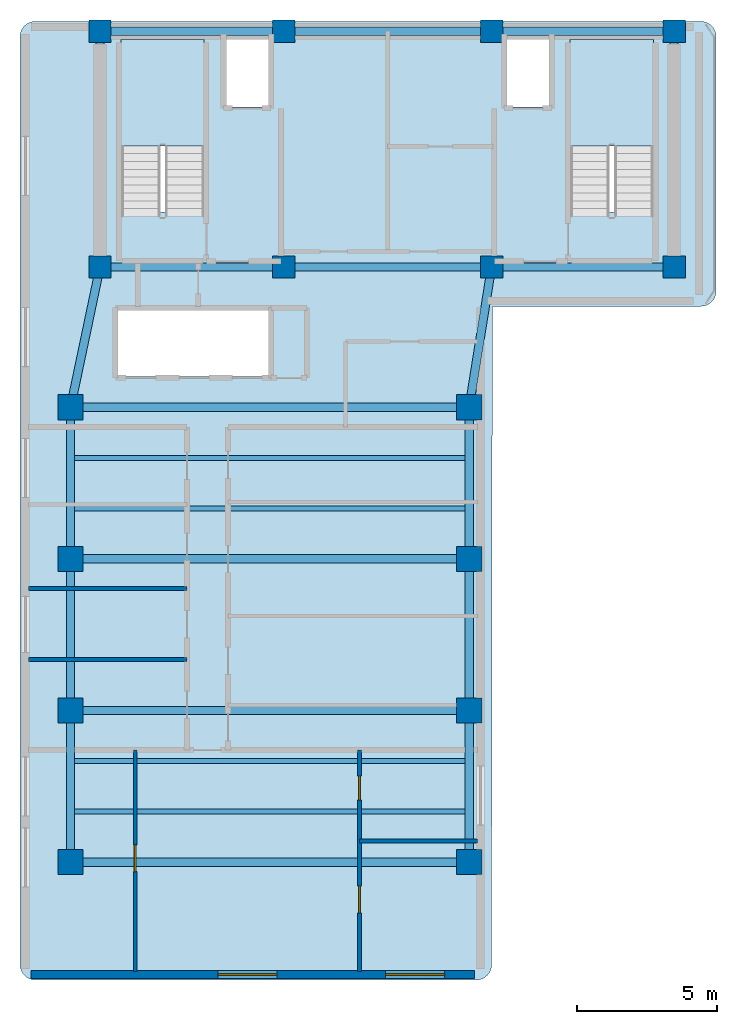
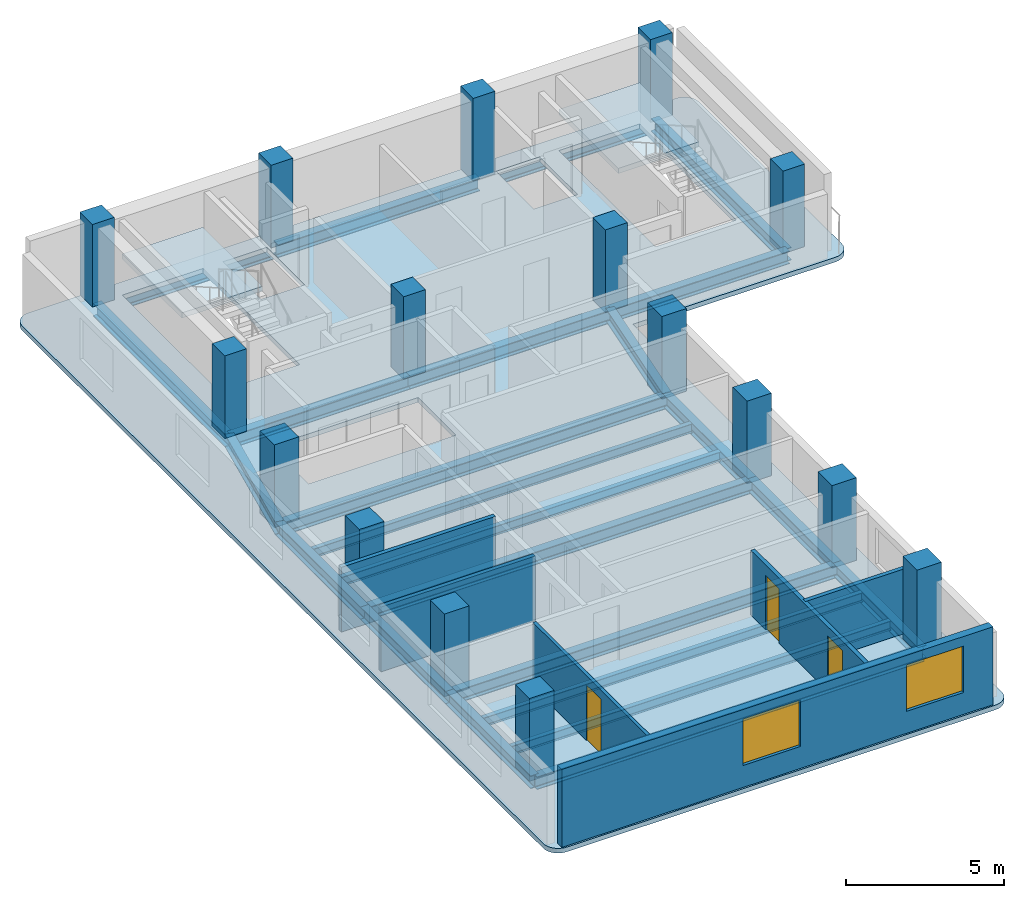
# One storey, part 1 of 4: 24 beams, 16 columns, 6 walls, 3 doors, 3 slabs, 2 windows, 5 openings, 2 elements without a shape of their own.
"""IFC4 building model written with IfcOpenShell, lengths in metres."""

from ifc_helpers import new_model, si_unit, direction, frame, frame_2d, origin, origin_2d, place, context, subcontext, project, spatial, polyline, rectangle, i_section, outline, extrude, material, layer, layer_set, material_profile, profile_set, type_object, element, fill, aggregate, save


model = new_model("IFC4")

# Units and contexts
model_context = context("Model", 3, precision=1e-05, world=origin(), true_north=direction((0.0, 1.0)))
body_context = subcontext(model_context, "Body", "Model", "MODEL_VIEW")
ifc_project = project(units=[si_unit("LENGTHUNIT", "METRE"), si_unit("AREAUNIT", "SQUARE_METRE"), si_unit("VOLUMEUNIT", "CUBIC_METRE"), si_unit("PLANEANGLEUNIT", "RADIAN"), si_unit("MASSUNIT", "GRAM", prefix="KILO")], contexts=[model_context])

# Site, building, storey
site_placement = place(None, origin())
site = spatial("IfcSite", under=ifc_project, at=site_placement, CompositionType="ELEMENT")
building_placement = place(site_placement, origin())
building = spatial("IfcBuilding", under=site, at=building_placement, Name="Kuzgunbayir Cultural Tower", CompositionType="ELEMENT")
storey_placement = place(building_placement, frame((0.0, 0.0, 208.0)))
storey = spatial("IfcBuildingStorey", under=building, at=storey_placement, Name="L61", CompositionType="ELEMENT", Elevation=208.0)

# Columns
ifc_material_1 = material(Name="Concrete C50/60", Category="concrete")
ifc_material_profile_1 = material_profile(ifc_material_1, rectangle(XDim=0.800048828125, YDim=0.800048828125, at=origin_2d()), Name="RC 800x800")
ifc_profile_set_1 = profile_set([ifc_material_profile_1], Name="Concrete C50/60")
column_type_1 = type_object("IfcColumnType", Name="COL-CORE-800", PredefinedType="COLUMN", material=ifc_profile_set_1)
for number, where, z_axis, x_axis, name in (
    (1, (6.449951171875, 33.800048828125, 0.0), (0.0, 0.0, 1.0), (1.0, 0.0, 0.0), "L61 T1 Core Boundary Column CC1-1"),
    (2, (13.0, 33.800048828125, 0.0), (0.0, 0.0, 1.0), (1.0, 0.0, 0.0), "L61 T1 Core Boundary Column CC1-2"),
    (3, (20.39990234375, 33.800048828125, 0.0), (0.0, 0.0, 1.0), (1.0, 0.0, 0.0), "L61 T1 Core Boundary Column CC1-3"),
    (4, (26.89990234375, 33.800048828125, 0.0), (0.0, 0.0, 1.0), (1.0, 0.0, 0.0), "L61 T1 Core Boundary Column CC1-4"),
    (5, (6.449951171875, 42.199951171875, 0.0), (0.0, 0.0, 1.0), (1.0, 0.0, 0.0), "L61 T1 Core Boundary Column CC1-5"),
    (6, (13.0, 42.199951171875, 0.0), (0.0, 0.0, 1.0), (1.0, 0.0, 0.0), "L61 T1 Core Boundary Column CC1-6"),
    (7, (20.39990234375, 42.199951171875, 0.0), (0.0, 0.0, 1.0), (1.0, 0.0, 0.0), "L61 T1 Core Boundary Column CC1-7"),
    (8, (26.89990234375, 42.199951171875, 0.0), (0.0, 0.0, 1.0), (1.0, 0.0, 0.0), "L61 T1 Core Boundary Column CC1-8"),
):
    element("IfcColumn", number, at=place(storey_placement, frame(where, z_axis=z_axis, x_axis=x_axis)), inside=storey, type_object=column_type_1, Name=name, PredefinedType="COLUMN", context=body_context, shape_type="SweptSolid", body=[
        extrude(rectangle(XDim=0.800048828125, YDim=0.800048828125, at=origin_2d()), origin(), (0.0, 0.0, 1.0), 3.199951171875),
    ])
ifc_material_profile_2 = material_profile(ifc_material_1, rectangle(XDim=0.89990234375, YDim=0.89990234375, at=origin_2d()), Name="RC 900x900")
ifc_profile_set_2 = profile_set([ifc_material_profile_2], Name="Concrete C50/60")
column_type_2 = type_object("IfcColumnType", Name="COL-T1-900", PredefinedType="COLUMN", material=ifc_profile_set_2)
for number, where, z_axis, x_axis, name in (
    (9, (5.39990234375, 12.60009765625, 0.0), (0.0, 0.0, 1.0), (1.0, 0.0, 0.0), "L61 Tower 1 Wing A Column T1A-W-1"),
    (10, (19.60009765625, 12.60009765625, 0.0), (0.0, 0.0, 1.0), (1.0, 0.0, 0.0), "L61 Tower 1 Wing A Column T1A-E-1"),
    (11, (5.39990234375, 18.0, 0.0), (0.0, 0.0, 1.0), (1.0, 0.0, 0.0), "L61 Tower 1 Wing A Column T1A-W-2"),
    (12, (19.60009765625, 18.0, 0.0), (0.0, 0.0, 1.0), (1.0, 0.0, 0.0), "L61 Tower 1 Wing A Column T1A-E-2"),
    (13, (5.39990234375, 23.39990234375, 0.0), (0.0, 0.0, 1.0), (1.0, 0.0, 0.0), "L61 Tower 1 Wing A Column T1A-W-3"),
    (14, (19.60009765625, 23.39990234375, 0.0), (0.0, 0.0, 1.0), (1.0, 0.0, 0.0), "L61 Tower 1 Wing A Column T1A-E-3"),
    (15, (5.39990234375, 28.800048828125, 0.0), (0.0, 0.0, 1.0), (1.0, 0.0, 0.0), "L61 Tower 1 Wing A Column T1A-W-4"),
    (16, (19.60009765625, 28.800048828125, 0.0), (0.0, 0.0, 1.0), (1.0, 0.0, 0.0), "L61 Tower 1 Wing A Column T1A-E-4"),
):
    element("IfcColumn", number, at=place(storey_placement, frame(where, z_axis=z_axis, x_axis=x_axis)), inside=storey, type_object=column_type_2, Name=name, PredefinedType="COLUMN", context=body_context, shape_type="SweptSolid", body=[
        extrude(rectangle(XDim=0.89990234375, YDim=0.89990234375, at=origin_2d()), origin(), (0.0, 0.0, 1.0), 3.199951171875),
    ])

# Beams
ifc_material_2 = material(Name="Steel S355J2", Category="steel")
ifc_material_profile_3 = material_profile(ifc_material_2, i_section(OverallWidth=0.300048828125, OverallDepth=0.5, WebThickness=0.014404296875, FlangeThickness=0.028076171875, FilletRadius=0.027099609375, at=origin_2d()), Name="HEB 500")
ifc_profile_set_3 = profile_set([ifc_material_profile_3], Name="Steel S355J2")
beam_type_1 = type_object("IfcBeamType", Name="BM-EXT-HEB500", PredefinedType="BEAM", material=ifc_profile_set_3)
for number, where, z_axis, x_axis, name in (
    (17, (5.39990234375, 12.60009765625, -0.429931640625), (0.0, 1.0, 0.0), (-1.0, 0.0, 0.0), "L61 Wing A West Girder 1"),
    (18, (19.60009765625, 12.60009765625, -0.429931640625), (0.0, 1.0, 0.0), (-1.0, 0.0, 0.0), "L61 Wing A East Girder 1"),
    (19, (5.39990234375, 18.0, -0.429931640625), (0.0, 1.0, 0.0), (-1.0, 0.0, 0.0), "L61 Wing A West Girder 2"),
    (20, (19.60009765625, 18.0, -0.429931640625), (0.0, 1.0, 0.0), (-1.0, 0.0, 0.0), "L61 Wing A East Girder 2"),
):
    element("IfcBeam", number, at=place(storey_placement, frame(where, z_axis=z_axis, x_axis=x_axis)), inside=storey, type_object=beam_type_1, Name=name, PredefinedType="BEAM", context=body_context, shape_type="SweptSolid", body=[
        extrude(i_section(OverallWidth=0.300048828125, OverallDepth=0.5, WebThickness=0.014404296875, FlangeThickness=0.028076171875, FilletRadius=0.027099609375, at=origin_2d()), origin(), (0.0, 0.0, 1.0), 5.39990234375),
    ])
for number, where, z_axis, x_axis, name in (
    (21, (5.39990234375, 23.39990234375, -0.429931640625), (0.0, 1.0, 0.0), (-1.0, 0.0, 0.0), "L61 Wing A West Girder 3"),
    (22, (19.60009765625, 23.39990234375, -0.429931640625), (0.0, 1.0, 0.0), (-1.0, 0.0, 0.0), "L61 Wing A East Girder 3"),
):
    element("IfcBeam", number, at=place(storey_placement, frame(where, z_axis=z_axis, x_axis=x_axis)), inside=storey, type_object=beam_type_1, Name=name, PredefinedType="BEAM", context=body_context, shape_type="SweptSolid", body=[
        extrude(i_section(OverallWidth=0.300048828125, OverallDepth=0.5, WebThickness=0.014404296875, FlangeThickness=0.028076171875, FilletRadius=0.027099609375, at=origin_2d()), origin(), (0.0, 0.0, 1.0), 5.400146484375),
    ])
ifc_material_profile_4 = material_profile(ifc_material_2, i_section(OverallWidth=0.300048828125, OverallDepth=0.5, WebThickness=0.014404296875, FlangeThickness=0.028076171875, FilletRadius=0.027099609375, at=origin_2d()), Name="HEB 500")
ifc_profile_set_4 = profile_set([ifc_material_profile_4], Name="Steel S355J2")
beam_type_2 = type_object("IfcBeamType", Name="BM-GIR-HEB500", PredefinedType="BEAM", material=ifc_profile_set_4)
beam_1_placement = place(storey_placement, frame((6.449951171875, 33.800048828125, -0.429931640625), z_axis=(1.0, 0.0, 0.0), x_axis=(0.0, 1.0, 0.0)))
element("IfcBeam", 23, at=beam_1_placement, inside=storey, type_object=beam_type_2, Name="L61 Core South Girder 1", PredefinedType="BEAM", context=body_context, shape_type="SweptSolid", body=[
    extrude(i_section(OverallWidth=0.300048828125, OverallDepth=0.5, WebThickness=0.014404296875, FlangeThickness=0.028076171875, FilletRadius=0.027099609375, at=origin_2d()), origin(), (0.0, 0.0, 1.0), 6.550048828125),
])
beam_2_placement = place(storey_placement, frame((13.0, 33.800048828125, -0.429931640625), z_axis=(1.0, 0.0, 0.0), x_axis=(0.0, 1.0, 0.0)))
element("IfcBeam", 24, at=beam_2_placement, inside=storey, type_object=beam_type_2, Name="L61 Core South Girder 2", PredefinedType="BEAM", context=body_context, shape_type="SweptSolid", body=[
    extrude(i_section(OverallWidth=0.300048828125, OverallDepth=0.5, WebThickness=0.014404296875, FlangeThickness=0.028076171875, FilletRadius=0.027099609375, at=origin_2d()), origin(), (0.0, 0.0, 1.0), 7.39990234375),
])
beam_3_placement = place(storey_placement, frame((20.39990234375, 33.800048828125, -0.429931640625), z_axis=(1.0, 0.0, 0.0), x_axis=(0.0, 1.0, 0.0)))
element("IfcBeam", 25, at=beam_3_placement, inside=storey, type_object=beam_type_2, Name="L61 Core South Girder 3", PredefinedType="BEAM", context=body_context, shape_type="SweptSolid", body=[
    extrude(i_section(OverallWidth=0.300048828125, OverallDepth=0.5, WebThickness=0.014404296875, FlangeThickness=0.028076171875, FilletRadius=0.027099609375, at=origin_2d()), origin(), (0.0, 0.0, 1.0), 6.5),
])
beam_4_placement = place(storey_placement, frame((6.449951171875, 42.199951171875, -0.429931640625), z_axis=(1.0, 0.0, 0.0), x_axis=(0.0, 1.0, 0.0)))
element("IfcBeam", 26, at=beam_4_placement, inside=storey, type_object=beam_type_2, Name="L61 Core North Girder 1", PredefinedType="BEAM", context=body_context, shape_type="SweptSolid", body=[
    extrude(i_section(OverallWidth=0.300048828125, OverallDepth=0.5, WebThickness=0.014404296875, FlangeThickness=0.028076171875, FilletRadius=0.027099609375, at=origin_2d()), origin(), (0.0, 0.0, 1.0), 6.550048828125),
])
beam_5_placement = place(storey_placement, frame((13.0, 42.199951171875, -0.429931640625), z_axis=(1.0, 0.0, 0.0), x_axis=(0.0, 1.0, 0.0)))
element("IfcBeam", 27, at=beam_5_placement, inside=storey, type_object=beam_type_2, Name="L61 Core North Girder 2", PredefinedType="BEAM", context=body_context, shape_type="SweptSolid", body=[
    extrude(i_section(OverallWidth=0.300048828125, OverallDepth=0.5, WebThickness=0.014404296875, FlangeThickness=0.028076171875, FilletRadius=0.027099609375, at=origin_2d()), origin(), (0.0, 0.0, 1.0), 7.39990234375),
])
beam_6_placement = place(storey_placement, frame((20.39990234375, 42.199951171875, -0.429931640625), z_axis=(1.0, 0.0, 0.0), x_axis=(0.0, 1.0, 0.0)))
element("IfcBeam", 28, at=beam_6_placement, inside=storey, type_object=beam_type_2, Name="L61 Core North Girder 3", PredefinedType="BEAM", context=body_context, shape_type="SweptSolid", body=[
    extrude(i_section(OverallWidth=0.300048828125, OverallDepth=0.5, WebThickness=0.014404296875, FlangeThickness=0.028076171875, FilletRadius=0.027099609375, at=origin_2d()), origin(), (0.0, 0.0, 1.0), 6.5),
])
for number, where, z_axis, x_axis, name in (
    (29, (6.449951171875, 33.800048828125, -0.429931640625), (0.0, 1.0, 0.0), (-1.0, 0.0, 0.0), "L61 Core West Edge Girder"),
    (30, (26.89990234375, 33.800048828125, -0.429931640625), (0.0, 1.0, 0.0), (-1.0, 0.0, 0.0), "L61 Core East Edge Girder"),
):
    element("IfcBeam", number, at=place(storey_placement, frame(where, z_axis=z_axis, x_axis=x_axis)), inside=storey, type_object=beam_type_2, Name=name, PredefinedType="BEAM", context=body_context, shape_type="SweptSolid", body=[
        extrude(i_section(OverallWidth=0.300048828125, OverallDepth=0.5, WebThickness=0.014404296875, FlangeThickness=0.028076171875, FilletRadius=0.027099609375, at=origin_2d()), origin(), (0.0, 0.0, 1.0), 8.39990234375),
    ])
for number, where, z_axis, x_axis, name in (
    (31, (5.39990234375, 12.60009765625, -0.429931640625), (1.0, 0.0, 0.0), (0.0, 1.0, 0.0), "L61 Wing A Transverse Girder 1"),
    (32, (5.39990234375, 18.0, -0.429931640625), (1.0, 0.0, 0.0), (0.0, 1.0, 0.0), "L61 Wing A Transverse Girder 2"),
    (33, (5.39990234375, 23.39990234375, -0.429931640625), (1.0, 0.0, 0.0), (0.0, 1.0, 0.0), "L61 Wing A Transverse Girder 3"),
    (34, (5.39990234375, 28.800048828125, -0.429931640625), (1.0, 0.0, 0.0), (0.0, 1.0, 0.0), "L61 Wing A Transverse Girder 4"),
):
    element("IfcBeam", number, at=place(storey_placement, frame(where, z_axis=z_axis, x_axis=x_axis)), inside=storey, type_object=beam_type_2, Name=name, PredefinedType="BEAM", context=body_context, shape_type="SweptSolid", body=[
        extrude(i_section(OverallWidth=0.300048828125, OverallDepth=0.5, WebThickness=0.014404296875, FlangeThickness=0.028076171875, FilletRadius=0.027099609375, at=origin_2d()), origin(), (0.0, 0.0, 1.0), 14.2001953125),
    ])
beam_7_placement = place(storey_placement, frame((5.39990234375, 28.800048828125, -0.429931640625), z_axis=(0.205526387753, 0.978651574329, 0.0), x_axis=(-0.978651574329, 0.205526387753, 0.0)))
element("IfcBeam", 35, at=beam_7_placement, inside=storey, type_object=beam_type_2, Name="L61 Wing A West Core Floor Girder", PredefinedType="BEAM", context=body_context, shape_type="SweptSolid", body=[
    extrude(i_section(OverallWidth=0.300048828125, OverallDepth=0.5, WebThickness=0.014404296875, FlangeThickness=0.028076171875, FilletRadius=0.027099609375, at=origin_2d()), origin(), (0.0, 0.0, 1.0), 5.109130859375),
])
beam_8_placement = place(storey_placement, frame((19.60009765625, 28.800048828125, -0.429931640625), z_axis=(0.157952891656, 0.987446648694, 0.0), x_axis=(-0.987446648694, 0.157952891656, 0.0)))
element("IfcBeam", 36, at=beam_8_placement, inside=storey, type_object=beam_type_2, Name="L61 Wing A East Core Floor Girder", PredefinedType="BEAM", context=body_context, shape_type="SweptSolid", body=[
    extrude(i_section(OverallWidth=0.300048828125, OverallDepth=0.5, WebThickness=0.014404296875, FlangeThickness=0.028076171875, FilletRadius=0.027099609375, at=origin_2d()), origin(), (0.0, 0.0, 1.0), 5.0634765625),
])
ifc_material_profile_5 = material_profile(ifc_material_2, i_section(OverallWidth=0.169921875, OverallDepth=0.360107421875, WebThickness=0.008056640625, FlangeThickness=0.0126953125, FilletRadius=0.01806640625, at=origin_2d()), Name="IPE 360")
ifc_profile_set_5 = profile_set([ifc_material_profile_5], Name="Steel S355J2")
beam_type_3 = type_object("IfcBeamType", Name="BM-JST-IPE360", PredefinedType="JOIST", material=ifc_profile_set_5)
for number, where, z_axis, x_axis, name in (
    (37, (5.550048828125, 14.39990234375, -0.360107421875), (1.0, 0.0, 0.0), (0.0, 1.0, 0.0), "L61 Wing A Secondary Joist 1"),
    (38, (5.550048828125, 16.199951171875, -0.360107421875), (1.0, 0.0, 0.0), (0.0, 1.0, 0.0), "L61 Wing A Secondary Joist 2"),
    (39, (5.550048828125, 25.199951171875, -0.360107421875), (1.0, 0.0, 0.0), (0.0, 1.0, 0.0), "L61 Wing A Secondary Joist 5"),
    (40, (5.550048828125, 27.0, -0.360107421875), (1.0, 0.0, 0.0), (0.0, 1.0, 0.0), "L61 Wing A Secondary Joist 6"),
):
    element("IfcBeam", number, at=place(storey_placement, frame(where, z_axis=z_axis, x_axis=x_axis)), inside=storey, type_object=beam_type_3, Name=name, PredefinedType="JOIST", context=body_context, shape_type="SweptSolid", body=[
        extrude(i_section(OverallWidth=0.169921875, OverallDepth=0.360107421875, WebThickness=0.008056640625, FlangeThickness=0.0126953125, FilletRadius=0.01806640625, at=origin_2d()), origin(), (0.0, 0.0, 1.0), 13.89990234375),
    ])

# Stair, slab
ifc_material_3 = material(Name="Concrete C40/50", Category="concrete")
stair_type = type_object("IfcStairType", Name="STR-EXIT-CORE", PredefinedType="HALF_TURN_STAIR", material=ifc_material_3)
stair_1_placement = place(storey_placement, origin())
stair_1 = element("IfcStair", 41, at=stair_1_placement, inside=storey, type_object=stair_type, Name="L61 ST-1", PredefinedType="HALF_TURN_STAIR")
ifc_layer_1 = layer(ifc_material_3, 0.179931640625)
ifc_layer_set_1 = layer_set([ifc_layer_1], Name="Concrete C40/50")
slab_type_1 = type_object("IfcSlabType", Name="SLB-LANDING-180", PredefinedType="LANDING", material=ifc_layer_set_1)
slab_1_placement = place(storey_placement, frame((0.0, 0.0, 1.39990234375)))
slab_1 = element("IfcSlab", 42, at=slab_1_placement, type_object=slab_type_1, Name="ST-1 landing 1", PredefinedType="LANDING", context=body_context, shape_type="SweptSolid", body=[
    extrude(outline(polyline([(10.159912109375, 38.1201171875), (10.159912109375, 41.89990234375), (7.199951171875, 41.89990234375), (7.199951171875, 38.1201171875), (10.159912109375, 38.1201171875)])), origin(), (0.0, 0.0, 1.0), 0.2001953125),
])
aggregate(stair_1, [slab_1])

stair_2_placement = place(storey_placement, origin())
stair_2 = element("IfcStair", 43, at=stair_2_placement, inside=storey, type_object=stair_type, Name="L61 ST-2", PredefinedType="HALF_TURN_STAIR")
slab_2_placement = place(storey_placement, frame((0.0, 0.0, 1.39990234375)))
slab_2 = element("IfcSlab", 44, at=slab_2_placement, type_object=slab_type_1, Name="ST-2 landing 1", PredefinedType="LANDING", context=body_context, shape_type="SweptSolid", body=[
    extrude(outline(polyline([(26.159912109375, 38.1201171875), (26.159912109375, 41.89990234375), (23.199951171875, 41.89990234375), (23.199951171875, 38.1201171875), (26.159912109375, 38.1201171875)])), origin(), (0.0, 0.0, 1.0), 0.2001953125),
])
aggregate(stair_2, [slab_2])

# Slab
ifc_layer_2 = layer(ifc_material_3, 0.179931640625)
ifc_layer_set_2 = layer_set([ifc_layer_2], Name="Concrete C40/50")
slab_type_2 = type_object("IfcSlabType", Name="SLB-TYP-180", PredefinedType="FLOOR", material=ifc_layer_set_2)
slab_3_placement = place(storey_placement, frame((0.0, 0.0, -0.179931640625)))
element("IfcSlab", 45, at=slab_3_placement, inside=storey, type_object=slab_type_2, Name="L61 Tower 1 Floor Slab T1-MAIN", PredefinedType="FLOOR", context=body_context, shape_type="SweptSolid", body=[
    extrude(outline(polyline([(20.39990234375, 8.949951171875), (20.389892578125, 8.840087890625), (20.360107421875, 8.739990234375), (20.31005859375, 8.639892578125), (20.239990234375, 8.56005859375), (20.159912109375, 8.489990234375), (20.06005859375, 8.43994140625), (19.9599609375, 8.409912109375), (19.85009765625, 8.39990234375), (4.14990234375, 8.39990234375), (4.0400390625, 8.409912109375), (3.93994140625, 8.43994140625), (3.840087890625, 8.489990234375), (3.760009765625, 8.56005859375), (3.68994140625, 8.639892578125), (3.639892578125, 8.739990234375), (3.610107421875, 8.840087890625), (3.60009765625, 8.949951171875), (3.60009765625, 42.0), (3.610107421875, 42.110107421875), (3.639892578125, 42.2099609375), (3.68994140625, 42.31005859375), (3.760009765625, 42.389892578125), (3.840087890625, 42.4599609375), (3.93994140625, 42.510009765625), (4.0400390625, 42.5400390625), (4.14990234375, 42.550048828125), (27.85009765625, 42.550048828125), (27.9599609375, 42.5400390625), (28.06005859375, 42.510009765625), (28.159912109375, 42.4599609375), (28.239990234375, 42.389892578125), (28.31005859375, 42.31005859375), (28.360107421875, 42.2099609375), (28.389892578125, 42.110107421875), (28.39990234375, 42.0), (28.39990234375, 32.949951171875), (28.389892578125, 32.840087890625), (28.360107421875, 32.739990234375), (28.31005859375, 32.639892578125), (28.239990234375, 32.56005859375), (28.159912109375, 32.489990234375), (28.06005859375, 32.43994140625), (27.9599609375, 32.409912109375), (27.85009765625, 32.39990234375), (20.429931640625, 32.39990234375), (20.39990234375, 8.949951171875)]), holes=[polyline([(7.199951171875, 35.760009765625), (7.199951171875, 41.89990234375), (10.159912109375, 41.89990234375), (10.159912109375, 35.760009765625), (7.199951171875, 35.760009765625)]), polyline([(23.199951171875, 35.760009765625), (23.199951171875, 41.89990234375), (26.159912109375, 41.89990234375), (26.159912109375, 35.760009765625), (23.199951171875, 35.760009765625)]), polyline([(7.10009765625, 29.89990234375), (7.10009765625, 32.300048828125), (12.5, 32.300048828125), (12.5, 29.89990234375), (7.10009765625, 29.89990234375)]), polyline([(10.89990234375, 39.5), (10.89990234375, 41.89990234375), (12.5, 41.89990234375), (12.5, 39.5), (10.89990234375, 39.5)]), polyline([(20.89990234375, 39.5), (20.89990234375, 41.89990234375), (22.5, 41.89990234375), (22.5, 39.5), (20.89990234375, 39.5)])]), origin(), (0.0, 0.0, 1.0), 0.179931640625),
])

# Wall, openings, windows
ifc_material_4 = material(Name="Anatolian Cream Limestone", Category="masonry")
ifc_layer_3 = layer(ifc_material_4, 0.280029296875)
ifc_layer_set_3 = layer_set([ifc_layer_3], Name="Anatolian Cream Limestone")
wall_type_1 = type_object("IfcWallType", Name="WAL-EXT-STONE-280", PredefinedType="STANDARD", material=ifc_layer_set_3)
wall_1_placement = place(storey_placement, frame((4.0, 8.60009765625, 0.0), z_axis=(0.0, 0.0, 1.0), x_axis=(1.0, 0.0, 0.0)))
wall_1 = element("IfcWall", 46, at=wall_1_placement, inside=storey, type_object=wall_type_1, Name="L61 Wing A South Limestone Wall", PredefinedType="STANDARD", context=body_context, shape_type="SweptSolid", body=[
    extrude(rectangle(XDim=15.800048828125, YDim=0.280029296875, at=frame_2d((7.89990234375, 0.0))), origin(), (0.0, 0.0, 1.0), 3.02001953125),
])
opening_1_placement = place(wall_1_placement, frame((6.64990234375, 0.0, 0.85009765625)))
opening_1 = element("IfcOpeningElement", 47, at=opening_1_placement, cuts=wall_1, Name="Opening WR-21", PredefinedType="OPENING", context=body_context, shape_type="SweptSolid", body=[
    extrude(rectangle(XDim=2.10009765625, YDim=1.800048828125, at=frame_2d((1.050048828125, 0.89990234375))), frame((0.0, 0.14990234375, 0.0), z_axis=(0.0, -1.0, 0.0), x_axis=(1.0, 0.0, 0.0)), (0.0, 0.0, 1.0), 0.300048828125),
])
opening_2_placement = place(wall_1_placement, frame((12.6298828125, 0.0, 0.85009765625)))
opening_2 = element("IfcOpeningElement", 48, at=opening_2_placement, cuts=wall_1, Name="Opening WR-21", PredefinedType="OPENING", context=body_context, shape_type="SweptSolid", body=[
    extrude(rectangle(XDim=2.10009765625, YDim=1.800048828125, at=frame_2d((1.050048828125, 0.89990234375))), frame((0.0, 0.14990234375, 0.0), z_axis=(0.0, -1.0, 0.0), x_axis=(1.0, 0.0, 0.0)), (0.0, 0.0, 1.0), 0.300048828125),
])
ifc_material_5 = material(Name="Solar-Control Triple Glazing", Category="glass")
window_type = type_object("IfcWindowType", Name="WIN-RESID-21", PartitioningType="SINGLE_PANEL", PredefinedType="WINDOW", material=ifc_material_5)
window_1_placement = place(opening_1_placement, origin())
window_1 = element("IfcWindow", 49, at=window_1_placement, inside=storey, type_object=window_type, Name="L61 WAS Facade Window 2", OverallHeight=1.800048828125, OverallWidth=2.10009765625, PartitioningType="SINGLE_PANEL", PredefinedType="WINDOW", context=body_context, shape_type="SweptSolid", body=[
    extrude(rectangle(XDim=2.10009765625, YDim=1.800048828125, at=frame_2d((1.050048828125, 0.89990234375))), frame((0.0, 0.030029296875, 0.0), z_axis=(0.0, -1.0, 0.0), x_axis=(1.0, 0.0, 0.0)), (0.0, 0.0, 1.0), 0.06005859375),
])
fill(opening_1, window_1)
window_2_placement = place(opening_2_placement, origin())
window_2 = element("IfcWindow", 50, at=window_2_placement, inside=storey, type_object=window_type, Name="L61 WAS Facade Window 3", OverallHeight=1.800048828125, OverallWidth=2.10009765625, PartitioningType="SINGLE_PANEL", PredefinedType="WINDOW", context=body_context, shape_type="SweptSolid", body=[
    extrude(rectangle(XDim=2.10009765625, YDim=1.800048828125, at=frame_2d((1.050048828125, 0.89990234375))), frame((0.0, 0.030029296875, 0.0), z_axis=(0.0, -1.0, 0.0), x_axis=(1.0, 0.0, 0.0)), (0.0, 0.0, 1.0), 0.06005859375),
])
fill(opening_2, window_2)

# Walls
ifc_material_6 = material(Name="Acoustic Double-Stud Drywall", Category="gypsum")
ifc_layer_4 = layer(ifc_material_6, 0.14990234375)
ifc_layer_set_4 = layer_set([ifc_layer_4], Name="Acoustic Double-Stud Drywall")
wall_type_2 = type_object("IfcWallType", Name="WAL-PART-ACOUSTIC-150", PredefinedType="PARTITIONING", material=ifc_layer_set_4)
for number, where, z_axis, x_axis, name in (
    (51, (3.89990234375, 19.820068359375, 0.0), (0.0, 0.0, 1.0), (1.0, 0.0, 0.0), "L61 West Study Partition 1"),
    (52, (3.89990234375, 22.35009765625, 0.0), (0.0, 0.0, 1.0), (1.0, 0.0, 0.0), "L61 West Study Partition 2"),
):
    element("IfcWall", number, at=place(storey_placement, frame(where, z_axis=z_axis, x_axis=x_axis)), inside=storey, type_object=wall_type_2, Name=name, PredefinedType="PARTITIONING", context=body_context, shape_type="SweptSolid", body=[
        extrude(rectangle(XDim=5.650146484375, YDim=0.14990234375, at=frame_2d((2.8251953125, 0.0))), origin(), (0.0, 0.0, 1.0), 2.510009765625),
    ])

# Wall, opening, door
ifc_material_7 = material(Name="Framed Gypsum Partition", Category="gypsum")
ifc_layer_5 = layer(ifc_material_7, 0.1201171875)
ifc_layer_set_5 = layer_set([ifc_layer_5], Name="Framed Gypsum Partition")
wall_type_3 = type_object("IfcWallType", Name="WAL-PART-INT-120", PredefinedType="PARTITIONING", material=ifc_layer_set_5)
wall_2_placement = place(storey_placement, frame((7.699951171875, 8.699951171875, 0.0), z_axis=(0.0, 0.0, 1.0), x_axis=(0.0, 1.0, 0.0)))
wall_2 = element("IfcWall", 53, at=wall_2_placement, inside=storey, type_object=wall_type_3, Name="L61 Flat A West Bedroom Wall", PredefinedType="PARTITIONING", context=body_context, shape_type="SweptSolid", body=[
    extrude(rectangle(XDim=7.900146484375, YDim=0.1201171875, at=frame_2d((3.9501953125, 0.0))), origin(), (0.0, 0.0, 1.0), 2.510009765625),
])
opening_3_placement = place(wall_2_placement, frame((3.56005859375, 0.0, 0.0)))
opening_3 = element("IfcOpeningElement", 54, at=opening_3_placement, cuts=wall_2, Name="Opening DI-90", PredefinedType="OPENING", context=body_context, shape_type="SweptSolid", body=[
    extrude(rectangle(XDim=0.949951171875, YDim=2.14990234375, at=frame_2d((0.47509765625, 1.074951171875))), frame((0.0, 0.070068359375, 0.0), z_axis=(0.0, -1.0, 0.0), x_axis=(1.0, 0.0, 0.0)), (0.0, 0.0, 1.0), 0.14013671875),
])
ifc_material_8 = material(Name="Veneered Oak Single Leaf", Category="wood")
door_type_1 = type_object("IfcDoorType", Name="DR-INT-90", OperationType="NOTDEFINED", PredefinedType="DOOR", material=ifc_material_8)
door_1_placement = place(opening_3_placement, origin())
door_1 = element("IfcDoor", 55, at=door_1_placement, inside=storey, type_object=door_type_1, Name="L61 Apartment A Bedroom Door", OperationType="SINGLE_SWING_LEFT", OverallHeight=2.14990234375, OverallWidth=0.949951171875, PredefinedType="DOOR", context=body_context, shape_type="SweptSolid", body=[
    extrude(rectangle(XDim=0.949951171875, YDim=2.14990234375, at=frame_2d((0.47509765625, 1.074951171875))), frame((0.0, 0.02490234375, 0.0), z_axis=(0.0, -1.0, 0.0), x_axis=(1.0, 0.0, 0.0)), (0.0, 0.0, 1.0), 0.050048828125),
])
fill(opening_3, door_1)

# Wall, openings, doors
ifc_material_9 = material(Name="Moisture-Resistant Tile Partition", Category="gypsum")
ifc_layer_6 = layer(ifc_material_9, 0.14990234375)
ifc_layer_set_6 = layer_set([ifc_layer_6], Name="Moisture-Resistant Tile Partition")
wall_type_4 = type_object("IfcWallType", Name="WAL-PART-WET-150", PredefinedType="PARTITIONING", material=ifc_layer_set_6)
wall_3_placement = place(storey_placement, frame((15.699951171875, 8.699951171875, 0.0), z_axis=(0.0, 0.0, 1.0), x_axis=(0.0, 1.0, 0.0)))
wall_3 = element("IfcWall", 56, at=wall_3_placement, inside=storey, type_object=wall_type_4, Name="L61 Flat A East Service Wall", PredefinedType="PARTITIONING", context=body_context, shape_type="SweptSolid", body=[
    extrude(rectangle(XDim=7.900146484375, YDim=0.14990234375, at=frame_2d((3.9501953125, 0.0))), origin(), (0.0, 0.0, 1.0), 2.510009765625),
])
opening_4_placement = place(wall_3_placement, frame((2.090087890625, 0.0, 0.0)))
opening_4 = element("IfcOpeningElement", 57, at=opening_4_placement, cuts=wall_3, Name="Opening DI-90", PredefinedType="OPENING", context=body_context, shape_type="SweptSolid", body=[
    extrude(rectangle(XDim=0.949951171875, YDim=2.14990234375, at=frame_2d((0.47509765625, 1.074951171875))), frame((0.0, 0.0849609375, 0.0), z_axis=(0.0, -1.0, 0.0), x_axis=(1.0, 0.0, 0.0)), (0.0, 0.0, 1.0), 0.169921875),
])
opening_5_placement = place(wall_3_placement, frame((6.110107421875, 0.0, 0.0)))
opening_5 = element("IfcOpeningElement", 58, at=opening_5_placement, cuts=wall_3, Name="Opening DW-85", PredefinedType="OPENING", context=body_context, shape_type="SweptSolid", body=[
    extrude(rectangle(XDim=0.85009765625, YDim=2.10009765625, at=frame_2d((0.425048828125, 1.050048828125))), frame((0.0, 0.0849609375, 0.0), z_axis=(0.0, -1.0, 0.0), x_axis=(1.0, 0.0, 0.0)), (0.0, 0.0, 1.0), 0.169921875),
])
door_2_placement = place(opening_4_placement, origin())
door_2 = element("IfcDoor", 59, at=door_2_placement, inside=storey, type_object=door_type_1, Name="L61 Apartment A Kitchen Door", OperationType="SINGLE_SWING_RIGHT", OverallHeight=2.14990234375, OverallWidth=0.949951171875, PredefinedType="DOOR", context=body_context, shape_type="SweptSolid", body=[
    extrude(rectangle(XDim=0.949951171875, YDim=2.14990234375, at=frame_2d((0.47509765625, 1.074951171875))), frame((0.0, 0.02490234375, 0.0), z_axis=(0.0, -1.0, 0.0), x_axis=(1.0, 0.0, 0.0)), (0.0, 0.0, 1.0), 0.050048828125),
])
fill(opening_4, door_2)
ifc_material_10 = material(Name="Laminate Moisture-Resistant Leaf", Category="wood")
door_type_2 = type_object("IfcDoorType", Name="DR-WET-85", OperationType="NOTDEFINED", PredefinedType="DOOR", material=ifc_material_10)
door_3_placement = place(opening_5_placement, origin())
door_3 = element("IfcDoor", 60, at=door_3_placement, inside=storey, type_object=door_type_2, Name="L61 Apartment A Bathroom Door", OperationType="SINGLE_SWING_LEFT", OverallHeight=2.10009765625, OverallWidth=0.85009765625, PredefinedType="DOOR", context=body_context, shape_type="SweptSolid", body=[
    extrude(rectangle(XDim=0.85009765625, YDim=2.10009765625, at=frame_2d((0.425048828125, 1.050048828125))), frame((0.0, 0.02490234375, 0.0), z_axis=(0.0, -1.0, 0.0), x_axis=(1.0, 0.0, 0.0)), (0.0, 0.0, 1.0), 0.050048828125),
])
fill(opening_5, door_3)

# Wall
wall_4_placement = place(storey_placement, frame((15.699951171875, 13.35009765625, 0.0), z_axis=(0.0, 0.0, 1.0), x_axis=(1.0, 0.0, 0.0)))
element("IfcWall", 61, at=wall_4_placement, inside=storey, type_object=wall_type_4, Name="L61 Flat A Bath Kitchen Divider", PredefinedType="PARTITIONING", context=body_context, shape_type="SweptSolid", body=[
    extrude(rectangle(XDim=4.199951171875, YDim=0.14990234375, at=frame_2d((2.10009765625, 0.0))), origin(), (0.0, 0.0, 1.0), 2.510009765625),
])

save(model, "model.ifc")
